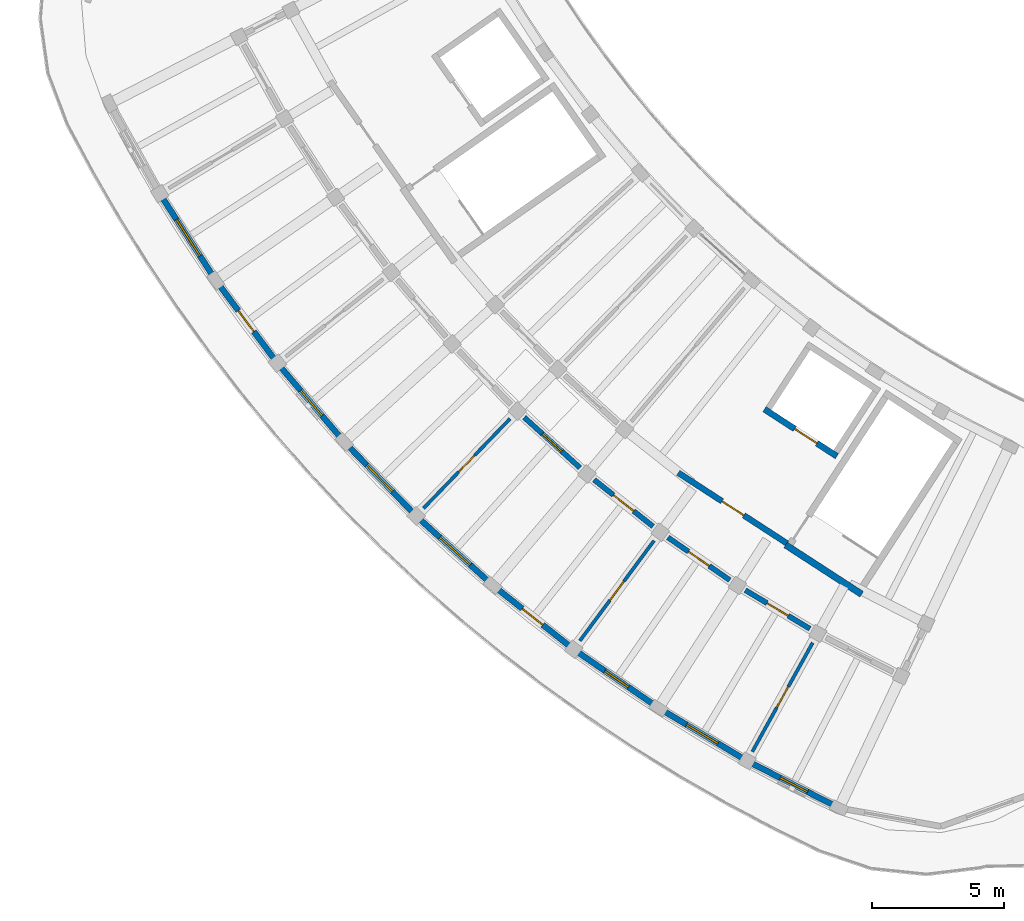
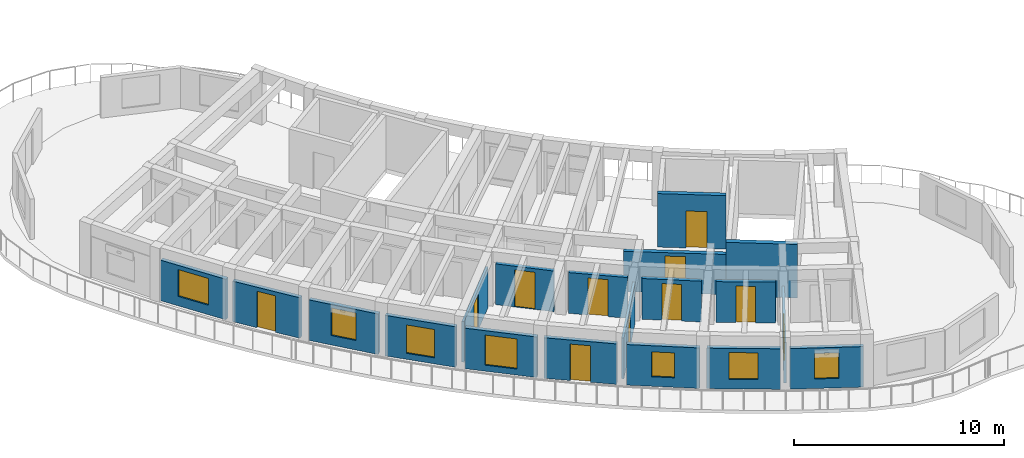
# One storey, part 16 of 41: 19 walls, 11 doors, 7 windows, 18 openings.
"""IFC4 building model written with IfcOpenShell, lengths in metres."""

from ifc_helpers import new_model, si_unit, direction, frame, frame_2d, origin, place, context, subcontext, project, spatial, rectangle, extrude, material, layer, layer_set, type_object, element, fill, save


model = new_model("IFC4")

# Units and contexts
model_context = context("Model", 3, precision=1e-05, world=origin(), true_north=direction((0.0, 1.0)))
body_context = subcontext(model_context, "Body", "Model", "MODEL_VIEW")
ifc_project = project(units=[si_unit("LENGTHUNIT", "METRE"), si_unit("AREAUNIT", "SQUARE_METRE"), si_unit("VOLUMEUNIT", "CUBIC_METRE"), si_unit("PLANEANGLEUNIT", "RADIAN"), si_unit("MASSUNIT", "GRAM", prefix="KILO")], contexts=[model_context])

# Site, building, storey
site_placement = place(None, origin())
site = spatial("IfcSite", under=ifc_project, at=site_placement, CompositionType="ELEMENT")
building_placement = place(site_placement, origin())
building = spatial("IfcBuilding", under=site, at=building_placement, Name="Tanwirah Colonnade Gardens", CompositionType="ELEMENT")
storey_placement = place(building_placement, frame((0.0, 0.0, 35.719970703125)))
storey = spatial("IfcBuildingStorey", under=building, at=storey_placement, Name="L10", CompositionType="ELEMENT", Elevation=35.719970703125)

# Wall, opening, window
ifc_material_1 = material(Name="Limestone architectural precast concrete C40/50", Category="masonry")
ifc_layer_1 = layer(ifc_material_1, 0.219970703125)
ifc_layer_set_1 = layer_set([ifc_layer_1], Name="Limestone architectural precast concrete C40/50")
wall_type_1 = type_object("IfcWallType", Name="EW-PC220", PredefinedType="SOLIDWALL", material=ifc_layer_set_1)
wall_1_placement = place(storey_placement, frame((14.077880859375, 33.640625, 0.0), z_axis=(0.0, 0.0, 1.0), x_axis=(0.542803784415, -0.839859542796, 0.0)))
wall_1 = element("IfcWall", 1, at=wall_1_placement, inside=storey, type_object=wall_type_1, Name="Block C L10 OUT Precast Facade Wall 4", PredefinedType="SOLIDWALL", context=body_context, shape_type="SweptSolid", body=[
    extrude(rectangle(XDim=3.5068359375, YDim=0.219970703125, at=frame_2d((1.75341796875, 0.0))), origin(), (0.0, 0.0, 1.0), 2.35498046875),
])
opening_1_placement = place(wall_1_placement, frame((0.933349609375, 0.0, 0.550048828125)))
opening_1 = element("IfcOpeningElement", 2, at=opening_1_placement, cuts=wall_1, Name="Opening WIN-U13", PredefinedType="OPENING", context=body_context, shape_type="SweptSolid", body=[
    extrude(rectangle(XDim=1.639892578125, YDim=1.56005859375, at=frame_2d((0.81982421875, 0.780029296875))), frame((0.0, 0.119873046875, 0.0), z_axis=(0.0, -1.0, 0.0), x_axis=(1.0, 0.0, 0.0)), (0.0, 0.0, 1.0), 0.239990234375),
])
ifc_material_2 = material(Name="Thermally broken bronze aluminium and solar low-E double glazing", Category="aluminium")
window_type_1 = type_object("IfcWindowType", Name="WIN-U13", PartitioningType="DOUBLE_PANEL_VERTICAL", PredefinedType="WINDOW", material=ifc_material_2)
window_1_placement = place(opening_1_placement, origin())
window_1 = element("IfcWindow", 3, at=window_1_placement, inside=storey, type_object=window_type_1, Name="Facade window C-L10-OUT-04", OverallHeight=1.56005859375, OverallWidth=1.639892578125, PartitioningType="SINGLE_PANEL", PredefinedType="WINDOW", context=body_context, shape_type="SweptSolid", body=[
    extrude(rectangle(XDim=1.639892578125, YDim=1.56005859375, at=frame_2d((0.81982421875, 0.780029296875))), frame((0.0, 0.030029296875, 0.0), z_axis=(0.0, -1.0, 0.0), x_axis=(1.0, 0.0, 0.0)), (0.0, 0.0, 1.0), 0.06005859375),
])
fill(opening_1, window_1)

# Wall, opening, door
wall_2_placement = place(storey_placement, frame((16.16943359375, 30.42431640625, 0.0), z_axis=(0.0, 0.0, 1.0), x_axis=(0.596563667114, -0.802565754988, 0.0)))
wall_2 = element("IfcWall", 4, at=wall_2_placement, inside=storey, type_object=wall_type_1, Name="Block C L10 OUT Precast Facade Wall 5", PredefinedType="SOLIDWALL", context=body_context, shape_type="SweptSolid", body=[
    extrude(rectangle(XDim=3.5068359375, YDim=0.219970703125, at=frame_2d((1.75341796875, 0.0))), origin(), (0.0, 0.0, 1.0), 2.35498046875),
])
opening_2_placement = place(wall_2_placement, frame((1.263427734375, 0.0, 0.0)))
opening_2 = element("IfcOpeningElement", 5, at=opening_2_placement, cuts=wall_2, Name="Opening L10-ED170", PredefinedType="OPENING", context=body_context, shape_type="SweptSolid", body=[
    extrude(rectangle(XDim=0.97998046875, YDim=2.1201171875, at=frame_2d((0.489990234375, 1.06005859375))), frame((0.0, 0.119873046875, 0.0), z_axis=(0.0, -1.0, 0.0), x_axis=(1.0, 0.0, 0.0)), (0.0, 0.0, 1.0), 0.239990234375),
])
ifc_material_3 = material(Name="Bronze aluminium glazed balcony door", Category="aluminium")
door_type_1 = type_object("IfcDoorType", Name="ED-BAL098", OperationType="NOTDEFINED", PredefinedType="DOOR", material=ifc_material_3)
door_1_placement = place(opening_2_placement, origin())
door_1 = element("IfcDoor", 6, at=door_1_placement, inside=storey, type_object=door_type_1, Name="Balcony glazed door L10-ED170", OperationType="SINGLE_SWING_RIGHT", OverallHeight=2.1201171875, OverallWidth=0.97998046875, PredefinedType="DOOR", context=body_context, shape_type="SweptSolid", body=[
    extrude(rectangle(XDim=0.97998046875, YDim=2.1201171875, at=frame_2d((0.489990234375, 1.06005859375))), frame((0.0, 0.02490234375, 0.0), z_axis=(0.0, -1.0, 0.0), x_axis=(1.0, 0.0, 0.0)), (0.0, 0.0, 1.0), 0.050048828125),
])
fill(opening_2, door_1)

# Wall, opening, window
wall_3_placement = place(storey_placement, frame((18.54150390625, 27.2578125, 0.0), z_axis=(0.0, 0.0, 1.0), x_axis=(0.647787845689, -0.761820784028, 0.0)))
wall_3 = element("IfcWall", 7, at=wall_3_placement, inside=storey, type_object=wall_type_1, Name="Block C L10 OUT Precast Facade Wall 6", PredefinedType="SOLIDWALL", context=body_context, shape_type="SweptSolid", body=[
    extrude(rectangle(XDim=3.5068359375, YDim=0.219970703125, at=frame_2d((1.75341796875, 0.0))), origin(), (0.0, 0.0, 1.0), 2.35498046875),
])
opening_3_placement = place(wall_3_placement, frame((1.12841796875, 0.0, 0.550048828125)))
opening_3 = element("IfcOpeningElement", 8, at=opening_3_placement, cuts=wall_3, Name="Opening WIN-T03", PredefinedType="OPENING", context=body_context, shape_type="SweptSolid", body=[
    extrude(rectangle(XDim=1.25, YDim=1.60009765625, at=frame_2d((0.625, 0.800048828125))), frame((0.0, 0.119873046875, 0.0), z_axis=(0.0, -1.0, 0.0), x_axis=(1.0, 0.0, 0.0)), (0.0, 0.0, 1.0), 0.239990234375),
])
window_type_2 = type_object("IfcWindowType", Name="WIN-T03", PartitioningType="SINGLE_PANEL", PredefinedType="WINDOW", material=ifc_material_2)
window_2_placement = place(opening_3_placement, origin())
window_2 = element("IfcWindow", 9, at=window_2_placement, inside=storey, type_object=window_type_2, Name="Facade window C-L10-OUT-06", OverallHeight=1.60009765625, OverallWidth=1.25, PartitioningType="SINGLE_PANEL", PredefinedType="WINDOW", context=body_context, shape_type="SweptSolid", body=[
    extrude(rectangle(XDim=1.25, YDim=1.60009765625, at=frame_2d((0.625, 0.800048828125))), frame((0.0, 0.030029296875, 0.0), z_axis=(0.0, -1.0, 0.0), x_axis=(1.0, 0.0, 0.0)), (0.0, 0.0, 1.0), 0.06005859375),
])
fill(opening_3, window_2)

wall_4_placement = place(storey_placement, frame((21.034912109375, 24.342041015625, 0.0), z_axis=(0.0, 0.0, 1.0), x_axis=(0.696232818878, -0.717816036263, 0.0)))
wall_4 = element("IfcWall", 10, at=wall_4_placement, inside=storey, type_object=wall_type_1, Name="Block C L10 OUT Precast Facade Wall 7", PredefinedType="SOLIDWALL", context=body_context, shape_type="SweptSolid", body=[
    extrude(rectangle(XDim=3.506591796875, YDim=0.219970703125, at=frame_2d((1.75341796875, 0.0))), origin(), (0.0, 0.0, 1.0), 2.35498046875),
])
opening_4_placement = place(wall_4_placement, frame((1.053466796875, 0.0, 0.35009765625)))
opening_4 = element("IfcOpeningElement", 11, at=opening_4_placement, cuts=wall_4, Name="Opening WIN-T06", PredefinedType="OPENING", context=body_context, shape_type="SweptSolid", body=[
    extrude(rectangle(XDim=1.39990234375, YDim=1.64990234375, at=frame_2d((0.699951171875, 0.824951171875))), frame((0.0, 0.119873046875, 0.0), z_axis=(0.0, -1.0, 0.0), x_axis=(1.0, 0.0, 0.0)), (0.0, 0.0, 1.0), 0.239990234375),
])
window_type_3 = type_object("IfcWindowType", Name="WIN-T06", PartitioningType="DOUBLE_PANEL_VERTICAL", PredefinedType="WINDOW", material=ifc_material_2)
window_3_placement = place(opening_4_placement, origin())
window_3 = element("IfcWindow", 12, at=window_3_placement, inside=storey, type_object=window_type_3, Name="Facade window C-L10-OUT-07", OverallHeight=1.64990234375, OverallWidth=1.39990234375, PartitioningType="SINGLE_PANEL", PredefinedType="WINDOW", context=body_context, shape_type="SweptSolid", body=[
    extrude(rectangle(XDim=1.39990234375, YDim=1.64990234375, at=frame_2d((0.699951171875, 0.824951171875))), frame((0.0, 0.030029296875, 0.0), z_axis=(0.0, -1.0, 0.0), x_axis=(1.0, 0.0, 0.0)), (0.0, 0.0, 1.0), 0.06005859375),
])
fill(opening_4, window_3)

wall_5_placement = place(storey_placement, frame((23.800048828125, 21.512451171875, 0.0), z_axis=(0.0, 0.0, 1.0), x_axis=(0.741654519649, -0.670782061093, 0.0)))
wall_5 = element("IfcWall", 13, at=wall_5_placement, inside=storey, type_object=wall_type_1, Name="Block C L10 OUT Precast Facade Wall 8", PredefinedType="SOLIDWALL", context=body_context, shape_type="SweptSolid", body=[
    extrude(rectangle(XDim=3.5068359375, YDim=0.219970703125, at=frame_2d((1.75341796875, 0.0))), origin(), (0.0, 0.0, 1.0), 2.35498046875),
])
opening_5_placement = place(wall_5_placement, frame((0.978515625, 0.0, 0.35009765625)))
opening_5 = element("IfcOpeningElement", 14, at=opening_5_placement, cuts=wall_5, Name="Opening WIN-T09", PredefinedType="OPENING", context=body_context, shape_type="SweptSolid", body=[
    extrude(rectangle(XDim=1.550048828125, YDim=1.75, at=frame_2d((0.77490234375, 0.875))), frame((0.0, 0.119873046875, 0.0), z_axis=(0.0, -1.0, 0.0), x_axis=(1.0, 0.0, 0.0)), (0.0, 0.0, 1.0), 0.239990234375),
])
window_type_4 = type_object("IfcWindowType", Name="WIN-T09", PartitioningType="DOUBLE_PANEL_VERTICAL", PredefinedType="WINDOW", material=ifc_material_2)
window_4_placement = place(opening_5_placement, origin())
window_4 = element("IfcWindow", 15, at=window_4_placement, inside=storey, type_object=window_type_4, Name="Facade window C-L10-OUT-08", OverallHeight=1.75, OverallWidth=1.550048828125, PartitioningType="SINGLE_PANEL", PredefinedType="WINDOW", context=body_context, shape_type="SweptSolid", body=[
    extrude(rectangle(XDim=1.550048828125, YDim=1.75, at=frame_2d((0.77490234375, 0.875))), frame((0.0, 0.030029296875, 0.0), z_axis=(0.0, -1.0, 0.0), x_axis=(1.0, 0.0, 0.0)), (0.0, 0.0, 1.0), 0.06005859375),
])
fill(opening_5, window_4)

# Wall, opening, door
wall_6_placement = place(storey_placement, frame((26.652587890625, 18.947021484375, 0.0), z_axis=(0.0, 0.0, 1.0), x_axis=(0.783976646649, -0.620790316861, 0.0)))
wall_6 = element("IfcWall", 16, at=wall_6_placement, inside=storey, type_object=wall_type_1, Name="Block C L10 OUT Precast Facade Wall 9", PredefinedType="SOLIDWALL", context=body_context, shape_type="SweptSolid", body=[
    extrude(rectangle(XDim=3.5068359375, YDim=0.219970703125, at=frame_2d((1.75341796875, 0.0))), origin(), (0.0, 0.0, 1.0), 2.35498046875),
])
opening_6_placement = place(wall_6_placement, frame((1.263427734375, 0.0, 0.0)))
opening_6 = element("IfcOpeningElement", 17, at=opening_6_placement, cuts=wall_6, Name="Opening L10-ED171", PredefinedType="OPENING", context=body_context, shape_type="SweptSolid", body=[
    extrude(rectangle(XDim=0.97998046875, YDim=2.1201171875, at=frame_2d((0.489990234375, 1.06005859375))), frame((0.0, 0.119873046875, 0.0), z_axis=(0.0, -1.0, 0.0), x_axis=(1.0, 0.0, 0.0)), (0.0, 0.0, 1.0), 0.239990234375),
])
door_2_placement = place(opening_6_placement, origin())
door_2 = element("IfcDoor", 18, at=door_2_placement, inside=storey, type_object=door_type_1, Name="Balcony glazed door L10-ED171", OperationType="SINGLE_SWING_RIGHT", OverallHeight=2.1201171875, OverallWidth=0.97998046875, PredefinedType="DOOR", context=body_context, shape_type="SweptSolid", body=[
    extrude(rectangle(XDim=0.97998046875, YDim=2.1201171875, at=frame_2d((0.489990234375, 1.06005859375))), frame((0.0, 0.02490234375, 0.0), z_axis=(0.0, -1.0, 0.0), x_axis=(1.0, 0.0, 0.0)), (0.0, 0.0, 1.0), 0.050048828125),
])
fill(opening_6, door_2)

# Wall, opening, window
wall_7_placement = place(storey_placement, frame((29.763427734375, 16.50244140625, 0.0), z_axis=(0.0, 0.0, 1.0), x_axis=(0.822878299875, -0.568217655125, 0.0)))
wall_7 = element("IfcWall", 19, at=wall_7_placement, inside=storey, type_object=wall_type_1, Name="Block C L10 OUT Precast Facade Wall 10", PredefinedType="SOLIDWALL", context=body_context, shape_type="SweptSolid", body=[
    extrude(rectangle(XDim=3.5068359375, YDim=0.219970703125, at=frame_2d((1.75341796875, 0.0))), origin(), (0.0, 0.0, 1.0), 2.35498046875),
])
opening_7_placement = place(wall_7_placement, frame((1.21337890625, 0.0, 0.550048828125)))
opening_7 = element("IfcOpeningElement", 20, at=opening_7_placement, cuts=wall_7, Name="Opening WIN-T15", PredefinedType="OPENING", context=body_context, shape_type="SweptSolid", body=[
    extrude(rectangle(XDim=1.080078125, YDim=1.449951171875, at=frame_2d((0.5400390625, 0.72509765625))), frame((0.0, 0.119873046875, 0.0), z_axis=(0.0, -1.0, 0.0), x_axis=(1.0, 0.0, 0.0)), (0.0, 0.0, 1.0), 0.239990234375),
])
window_type_5 = type_object("IfcWindowType", Name="WIN-T15", PartitioningType="SINGLE_PANEL", PredefinedType="WINDOW", material=ifc_material_2)
window_5_placement = place(opening_7_placement, origin())
window_5 = element("IfcWindow", 21, at=window_5_placement, inside=storey, type_object=window_type_5, Name="Facade window C-L10-OUT-10", OverallHeight=1.449951171875, OverallWidth=1.080078125, PartitioningType="SINGLE_PANEL", PredefinedType="WINDOW", context=body_context, shape_type="SweptSolid", body=[
    extrude(rectangle(XDim=1.080078125, YDim=1.449951171875, at=frame_2d((0.5400390625, 0.72509765625))), frame((0.0, 0.030029296875, 0.0), z_axis=(0.0, -1.0, 0.0), x_axis=(1.0, 0.0, 0.0)), (0.0, 0.0, 1.0), 0.06005859375),
])
fill(opening_7, window_5)

wall_8_placement = place(storey_placement, frame((32.926513671875, 14.33154296875, 0.0), z_axis=(0.0, 0.0, 1.0), x_axis=(0.858272027283, -0.513195018666, 0.0)))
wall_8 = element("IfcWall", 22, at=wall_8_placement, inside=storey, type_object=wall_type_1, Name="Block C L10 OUT Precast Facade Wall 11", PredefinedType="SOLIDWALL", context=body_context, shape_type="SweptSolid", body=[
    extrude(rectangle(XDim=3.507080078125, YDim=0.219970703125, at=frame_2d((1.75341796875, 0.0))), origin(), (0.0, 0.0, 1.0), 2.35498046875),
])
opening_8_placement = place(wall_8_placement, frame((1.0634765625, 0.0, 0.550048828125)))
opening_8 = element("IfcOpeningElement", 23, at=opening_8_placement, cuts=wall_8, Name="Opening WIN-T18", PredefinedType="OPENING", context=body_context, shape_type="SweptSolid", body=[
    extrude(rectangle(XDim=1.3798828125, YDim=1.56005859375, at=frame_2d((0.68994140625, 0.780029296875))), frame((0.0, 0.119873046875, 0.0), z_axis=(0.0, -1.0, 0.0), x_axis=(1.0, 0.0, 0.0)), (0.0, 0.0, 1.0), 0.239990234375),
])
window_type_6 = type_object("IfcWindowType", Name="WIN-T18", PartitioningType="DOUBLE_PANEL_VERTICAL", PredefinedType="WINDOW", material=ifc_material_2)
window_6_placement = place(opening_8_placement, origin())
window_6 = element("IfcWindow", 24, at=window_6_placement, inside=storey, type_object=window_type_6, Name="Facade window C-L10-OUT-11", OverallHeight=1.56005859375, OverallWidth=1.3798828125, PartitioningType="SINGLE_PANEL", PredefinedType="WINDOW", context=body_context, shape_type="SweptSolid", body=[
    extrude(rectangle(XDim=1.3798828125, YDim=1.56005859375, at=frame_2d((0.68994140625, 0.780029296875))), frame((0.0, 0.030029296875, 0.0), z_axis=(0.0, -1.0, 0.0), x_axis=(1.0, 0.0, 0.0)), (0.0, 0.0, 1.0), 0.06005859375),
])
fill(opening_8, window_6)

wall_9_placement = place(storey_placement, frame((36.329833984375, 12.313720703125, 0.0), z_axis=(0.0, 0.0, 1.0), x_axis=(0.890012358945, -0.455936400088, 0.0)))
wall_9 = element("IfcWall", 25, at=wall_9_placement, inside=storey, type_object=wall_type_1, Name="Block C L10 OUT Precast Facade Wall 12", PredefinedType="SOLIDWALL", context=body_context, shape_type="SweptSolid", body=[
    extrude(rectangle(XDim=3.5068359375, YDim=0.219970703125, at=frame_2d((1.75341796875, 0.0))), origin(), (0.0, 0.0, 1.0), 2.35498046875),
])
opening_9_placement = place(wall_9_placement, frame((1.17333984375, 0.0, 0.550048828125)))
opening_9 = element("IfcOpeningElement", 26, at=opening_9_placement, cuts=wall_9, Name="Opening WIN-U01", PredefinedType="OPENING", context=body_context, shape_type="SweptSolid", body=[
    extrude(rectangle(XDim=1.159912109375, YDim=1.485107421875, at=frame_2d((0.580078125, 0.74267578125))), frame((0.0, 0.119873046875, 0.0), z_axis=(0.0, -1.0, 0.0), x_axis=(1.0, 0.0, 0.0)), (0.0, 0.0, 1.0), 0.239990234375),
])
window_type_7 = type_object("IfcWindowType", Name="WIN-U01", PartitioningType="DOUBLE_PANEL_VERTICAL", PredefinedType="WINDOW", material=ifc_material_2)
window_7_placement = place(opening_9_placement, origin())
window_7 = element("IfcWindow", 27, at=window_7_placement, inside=storey, type_object=window_type_7, Name="Facade window C-L10-OUT-12", OverallHeight=1.485107421875, OverallWidth=1.159912109375, PartitioningType="SINGLE_PANEL", PredefinedType="WINDOW", context=body_context, shape_type="SweptSolid", body=[
    extrude(rectangle(XDim=1.159912109375, YDim=1.485107421875, at=frame_2d((0.580078125, 0.74267578125))), frame((0.0, 0.030029296875, 0.0), z_axis=(0.0, -1.0, 0.0), x_axis=(1.0, 0.0, 0.0)), (0.0, 0.0, 1.0), 0.06005859375),
])
fill(opening_9, window_7)

# Wall, opening, door
ifc_material_4 = material(Name="Precast concrete C40/50", Category="concrete")
ifc_layer_2 = layer(ifc_material_4, 0.195068359375)
ifc_layer_set_2 = layer_set([ifc_layer_2], Name="Precast concrete C40/50")
wall_type_2 = type_object("IfcWallType", Name="IW-CORR195", PredefinedType="PARTITIONING", material=ifc_layer_set_2)
wall_10_placement = place(storey_placement, frame((27.71337890625, 25.385009765625, 0.0), z_axis=(0.0, 0.0, 1.0), x_axis=(0.741631592147, -0.670807410163, 0.0)))
wall_10 = element("IfcWall", 28, at=wall_10_placement, inside=storey, type_object=wall_type_2, Name="Block C L10 OUT Corridor Wall 8", PredefinedType="PARTITIONING", context=body_context, shape_type="SweptSolid", body=[
    extrude(rectangle(XDim=2.8369140625, YDim=0.195068359375, at=frame_2d((1.41845703125, 0.0))), origin(), (0.0, 0.0, 1.0), 2.3701171875),
])
opening_10_placement = place(wall_10_placement, frame((0.923583984375, 0.0, 0.0)))
opening_10 = element("IfcOpeningElement", 29, at=opening_10_placement, cuts=wall_10, Name="Opening L10-AD1639", PredefinedType="OPENING", context=body_context, shape_type="SweptSolid", body=[
    extrude(rectangle(XDim=0.989990234375, YDim=2.159912109375, at=frame_2d((0.4951171875, 1.080078125))), frame((0.0, 0.107421875, 0.0), z_axis=(0.0, -1.0, 0.0), x_axis=(1.0, 0.0, 0.0)), (0.0, 0.0, 1.0), 0.215087890625),
])
ifc_material_5 = material(Name="Solid oak fire-resisting apartment entrance door")
door_type_2 = type_object("IfcDoorType", Name="ID-FLT099", OperationType="NOTDEFINED", PredefinedType="DOOR", material=ifc_material_5)
door_3_placement = place(opening_10_placement, origin())
door_3 = element("IfcDoor", 30, at=door_3_placement, inside=storey, type_object=door_type_2, Name="Apartment corridor door L10-AD1639", OperationType="SINGLE_SWING_LEFT", OverallHeight=2.159912109375, OverallWidth=0.989990234375, PredefinedType="DOOR", context=body_context, shape_type="SweptSolid", body=[
    extrude(rectangle(XDim=0.989990234375, YDim=2.159912109375, at=frame_2d((0.4951171875, 1.080078125))), frame((0.0, 0.02490234375, 0.0), z_axis=(0.0, -1.0, 0.0), x_axis=(1.0, 0.0, 0.0)), (0.0, 0.0, 1.0), 0.050048828125),
])
fill(opening_10, door_3)

wall_11_placement = place(storey_placement, frame((30.351318359375, 23.030029296875, 0.0), z_axis=(0.0, 0.0, 1.0), x_axis=(0.783965548427, -0.620804332201, 0.0)))
wall_11 = element("IfcWall", 31, at=wall_11_placement, inside=storey, type_object=wall_type_2, Name="Block C L10 OUT Corridor Wall 9", PredefinedType="PARTITIONING", context=body_context, shape_type="SweptSolid", body=[
    extrude(rectangle(XDim=2.8369140625, YDim=0.195068359375, at=frame_2d((1.41845703125, 0.0))), origin(), (0.0, 0.0, 1.0), 2.3701171875),
])
opening_11_placement = place(wall_11_placement, frame((0.93359375, 0.0, 0.0)))
opening_11 = element("IfcOpeningElement", 32, at=opening_11_placement, cuts=wall_11, Name="Opening L10-AD1642", PredefinedType="OPENING", context=body_context, shape_type="SweptSolid", body=[
    extrude(rectangle(XDim=0.969970703125, YDim=2.14990234375, at=frame_2d((0.48486328125, 1.074951171875))), frame((0.0, 0.107421875, 0.0), z_axis=(0.0, -1.0, 0.0), x_axis=(1.0, 0.0, 0.0)), (0.0, 0.0, 1.0), 0.215087890625),
])
door_type_3 = type_object("IfcDoorType", Name="ID-FLT097", OperationType="NOTDEFINED", PredefinedType="DOOR", material=ifc_material_5)
door_4_placement = place(opening_11_placement, origin())
door_4 = element("IfcDoor", 33, at=door_4_placement, inside=storey, type_object=door_type_3, Name="Apartment corridor door L10-AD1642", OperationType="SINGLE_SWING_RIGHT", OverallHeight=2.14990234375, OverallWidth=0.969970703125, PredefinedType="DOOR", context=body_context, shape_type="SweptSolid", body=[
    extrude(rectangle(XDim=0.969970703125, YDim=2.14990234375, at=frame_2d((0.48486328125, 1.074951171875))), frame((0.0, 0.02490234375, 0.0), z_axis=(0.0, -1.0, 0.0), x_axis=(1.0, 0.0, 0.0)), (0.0, 0.0, 1.0), 0.050048828125),
])
fill(opening_11, door_4)

wall_12_placement = place(storey_placement, frame((33.137939453125, 20.852783203125, 0.0), z_axis=(0.0, 0.0, 1.0), x_axis=(0.822870075235, -0.568229565653, 0.0)))
wall_12 = element("IfcWall", 34, at=wall_12_placement, inside=storey, type_object=wall_type_2, Name="Block C L10 OUT Corridor Wall 10", PredefinedType="PARTITIONING", context=body_context, shape_type="SweptSolid", body=[
    extrude(rectangle(XDim=2.8369140625, YDim=0.195068359375, at=frame_2d((1.41845703125, 0.0))), origin(), (0.0, 0.0, 1.0), 2.3701171875),
])
opening_12_placement = place(wall_12_placement, frame((0.943603515625, 0.0, 0.0)))
opening_12 = element("IfcOpeningElement", 35, at=opening_12_placement, cuts=wall_12, Name="Opening L10-AD1644", PredefinedType="OPENING", context=body_context, shape_type="SweptSolid", body=[
    extrude(rectangle(XDim=0.949951171875, YDim=2.1298828125, at=frame_2d((0.47509765625, 1.06494140625))), frame((0.0, 0.107421875, 0.0), z_axis=(0.0, -1.0, 0.0), x_axis=(1.0, 0.0, 0.0)), (0.0, 0.0, 1.0), 0.215087890625),
])
door_type_4 = type_object("IfcDoorType", Name="ID-FLT095", OperationType="NOTDEFINED", PredefinedType="DOOR", material=ifc_material_5)
door_5_placement = place(opening_12_placement, origin())
door_5 = element("IfcDoor", 36, at=door_5_placement, inside=storey, type_object=door_type_4, Name="Apartment corridor door L10-AD1644", OperationType="SINGLE_SWING_LEFT", OverallHeight=2.1298828125, OverallWidth=0.949951171875, PredefinedType="DOOR", context=body_context, shape_type="SweptSolid", body=[
    extrude(rectangle(XDim=0.949951171875, YDim=2.1298828125, at=frame_2d((0.47509765625, 1.06494140625))), frame((0.0, 0.02490234375, 0.0), z_axis=(0.0, -1.0, 0.0), x_axis=(1.0, 0.0, 0.0)), (0.0, 0.0, 1.0), 0.050048828125),
])
fill(opening_12, door_5)

wall_13_placement = place(storey_placement, frame((36.060791015625, 18.8623046875, 0.0), z_axis=(0.0, 0.0, 1.0), x_axis=(0.858281647443, -0.51317892948, 0.0)))
wall_13 = element("IfcWall", 37, at=wall_13_placement, inside=storey, type_object=wall_type_2, Name="Block C L10 OUT Corridor Wall 11", PredefinedType="PARTITIONING", context=body_context, shape_type="SweptSolid", body=[
    extrude(rectangle(XDim=2.8369140625, YDim=0.195068359375, at=frame_2d((1.41845703125, 0.0))), origin(), (0.0, 0.0, 1.0), 2.3701171875),
])
opening_13_placement = place(wall_13_placement, frame((0.95361328125, 0.0, 0.0)))
opening_13 = element("IfcOpeningElement", 38, at=opening_13_placement, cuts=wall_13, Name="Opening L10-AD1645", PredefinedType="OPENING", context=body_context, shape_type="SweptSolid", body=[
    extrude(rectangle(XDim=0.929931640625, YDim=2.1201171875, at=frame_2d((0.46484375, 1.06005859375))), frame((0.0, 0.107421875, 0.0), z_axis=(0.0, -1.0, 0.0), x_axis=(1.0, 0.0, 0.0)), (0.0, 0.0, 1.0), 0.215087890625),
])
door_type_5 = type_object("IfcDoorType", Name="ID-FLT093", OperationType="NOTDEFINED", PredefinedType="DOOR", material=ifc_material_5)
door_6_placement = place(opening_13_placement, origin())
door_6 = element("IfcDoor", 39, at=door_6_placement, inside=storey, type_object=door_type_5, Name="Apartment corridor door L10-AD1645", OperationType="SINGLE_SWING_RIGHT", OverallHeight=2.1201171875, OverallWidth=0.929931640625, PredefinedType="DOOR", context=body_context, shape_type="SweptSolid", body=[
    extrude(rectangle(XDim=0.929931640625, YDim=2.1201171875, at=frame_2d((0.46484375, 1.06005859375))), frame((0.0, 0.02490234375, 0.0), z_axis=(0.0, -1.0, 0.0), x_axis=(1.0, 0.0, 0.0)), (0.0, 0.0, 1.0), 0.050048828125),
])
fill(opening_13, door_6)

ifc_material_6 = material(Name="Autoclaved aerated masonry blockwork", Category="masonry")
ifc_layer_3 = layer(ifc_material_6, 0.219970703125)
ifc_layer_set_3 = layer_set([ifc_layer_3], Name="Autoclaved aerated masonry blockwork")
wall_type_3 = type_object("IfcWallType", Name="IW-FFL220", PredefinedType="PARTITIONING", material=ifc_layer_set_3)
wall_14_placement = place(storey_placement, frame((37.638916015625, 20.623291015625, 0.0), z_axis=(0.0, 0.0, 1.0), x_axis=(-0.838681446513, 0.544622283124, 0.0)))
wall_14 = element("IfcWall", 40, at=wall_14_placement, inside=storey, type_object=wall_type_3, Name="CORE-C2 L10 Enclosed Lobby Fire Wall", PredefinedType="PARTITIONING", context=body_context, shape_type="SweptSolid", body=[
    extrude(rectangle(XDim=4.900146484375, YDim=0.219970703125, at=frame_2d((2.4501953125, 0.0))), origin(), (0.0, 0.0, 1.0), 2.340087890625),
])
opening_14_placement = place(wall_14_placement, frame((1.949951171875, 0.0, 0.0)))
opening_14 = element("IfcOpeningElement", 41, at=opening_14_placement, cuts=wall_14, Name="Opening L10-LD168", PredefinedType="OPENING", context=body_context, shape_type="SweptSolid", body=[
    extrude(rectangle(XDim=0.97998046875, YDim=2.139892578125, at=frame_2d((0.489990234375, 1.06982421875))), frame((0.0, 0.119873046875, 0.0), z_axis=(0.0, -1.0, 0.0), x_axis=(1.0, 0.0, 0.0)), (0.0, 0.0, 1.0), 0.239990234375),
])
ifc_material_7 = material(Name="Acoustic fire-resisting lobby door")
door_type_6 = type_object("IfcDoorType", Name="ID-FFL098", OperationType="NOTDEFINED", PredefinedType="DOOR", material=ifc_material_7)
door_7_placement = place(opening_14_placement, origin())
door_7 = element("IfcDoor", 42, at=door_7_placement, inside=storey, type_object=door_type_6, Name="CORE-C2 L10 Lobby Fire Door L10-LD168", OperationType="SINGLE_SWING_LEFT", OverallHeight=2.139892578125, OverallWidth=0.97998046875, PredefinedType="DOOR", context=body_context, shape_type="SweptSolid", body=[
    extrude(rectangle(XDim=0.97998046875, YDim=2.139892578125, at=frame_2d((0.489990234375, 1.06982421875))), frame((0.0, 0.02490234375, 0.0), z_axis=(0.0, -1.0, 0.0), x_axis=(1.0, 0.0, 0.0)), (0.0, 0.0, 1.0), 0.050048828125),
])
fill(opening_14, door_7)

ifc_material_8 = material(Name="Moisture-resistant gypsum stud partition")
ifc_layer_4 = layer(ifc_material_8, 0.125)
ifc_layer_set_4 = layer_set([ifc_layer_4], Name="Moisture-resistant gypsum stud partition")
wall_type_4 = type_object("IfcWallType", Name="IW-INT125", PredefinedType="PARTITIONING", material=ifc_layer_set_4)
wall_15_placement = place(storey_placement, frame((27.17578125, 25.33203125, 0.0), z_axis=(0.0, 0.0, 1.0), x_axis=(-0.69466218314, -0.719336118456, 0.0)))
wall_15 = element("IfcWall", 43, at=wall_15_placement, inside=storey, type_object=wall_type_4, Name="Block C L10 Radial Partition 7", PredefinedType="PARTITIONING", context=body_context, shape_type="SweptSolid", body=[
    extrude(rectangle(XDim=4.699951171875, YDim=0.125, at=frame_2d((2.35009765625, 0.0))), origin(), (0.0, 0.0, 1.0), 2.3701171875),
])
opening_15_placement = place(wall_15_placement, frame((1.9150390625, 0.0, 0.0)))
opening_15 = element("IfcOpeningElement", 44, at=opening_15_placement, cuts=wall_15, Name="Opening L10-RD1637", PredefinedType="OPENING", context=body_context, shape_type="SweptSolid", body=[
    extrude(rectangle(XDim=0.8701171875, YDim=2.080078125, at=frame_2d((0.43505859375, 1.0400390625))), frame((0.0, 0.072509765625, 0.0), z_axis=(0.0, -1.0, 0.0), x_axis=(1.0, 0.0, 0.0)), (0.0, 0.0, 1.0), 0.14501953125),
])
ifc_material_9 = material(Name="Painted hardwood study door", Category="wood")
door_type_7 = type_object("IfcDoorType", Name="ID-RM087", OperationType="NOTDEFINED", PredefinedType="DOOR", material=ifc_material_9)
door_8_placement = place(opening_15_placement, origin())
door_8 = element("IfcDoor", 45, at=door_8_placement, inside=storey, type_object=door_type_7, Name="Internal apartment door L10-RD1637", OperationType="SINGLE_SWING_RIGHT", OverallHeight=2.080078125, OverallWidth=0.8701171875, PredefinedType="DOOR", context=body_context, shape_type="SweptSolid", body=[
    extrude(rectangle(XDim=0.8701171875, YDim=2.080078125, at=frame_2d((0.43505859375, 1.0400390625))), frame((0.0, 0.02490234375, 0.0), z_axis=(0.0, -1.0, 0.0), x_axis=(1.0, 0.0, 0.0)), (0.0, 0.0, 1.0), 0.050048828125),
])
fill(opening_15, door_8)

wall_16_placement = place(storey_placement, frame((32.61181640625, 20.72998046875, 0.0), z_axis=(0.0, 0.0, 1.0), x_axis=(-0.59482622273, -0.803854318116, 0.0)))
wall_16 = element("IfcWall", 46, at=wall_16_placement, inside=storey, type_object=wall_type_4, Name="Block C L10 Radial Partition 9", PredefinedType="PARTITIONING", context=body_context, shape_type="SweptSolid", body=[
    extrude(rectangle(XDim=4.699951171875, YDim=0.125, at=frame_2d((2.35009765625, 0.0))), origin(), (0.0, 0.0, 1.0), 2.3701171875),
])
opening_16_placement = place(wall_16_placement, frame((1.905029296875, 0.0, 0.0)))
opening_16 = element("IfcOpeningElement", 47, at=opening_16_placement, cuts=wall_16, Name="Opening L10-RD1643", PredefinedType="OPENING", context=body_context, shape_type="SweptSolid", body=[
    extrude(rectangle(XDim=0.889892578125, YDim=2.10009765625, at=frame_2d((0.44482421875, 1.050048828125))), frame((0.0, 0.072509765625, 0.0), z_axis=(0.0, -1.0, 0.0), x_axis=(1.0, 0.0, 0.0)), (0.0, 0.0, 1.0), 0.14501953125),
])
ifc_material_10 = material(Name="Painted hardwood bedroom door", Category="wood")
door_type_8 = type_object("IfcDoorType", Name="ID-RM089", OperationType="NOTDEFINED", PredefinedType="DOOR", material=ifc_material_10)
door_9_placement = place(opening_16_placement, origin())
door_9 = element("IfcDoor", 48, at=door_9_placement, inside=storey, type_object=door_type_8, Name="Internal apartment door L10-RD1643", OperationType="SINGLE_SWING_RIGHT", OverallHeight=2.10009765625, OverallWidth=0.889892578125, PredefinedType="DOOR", context=body_context, shape_type="SweptSolid", body=[
    extrude(rectangle(XDim=0.889892578125, YDim=2.10009765625, at=frame_2d((0.44482421875, 1.050048828125))), frame((0.0, 0.02490234375, 0.0), z_axis=(0.0, -1.0, 0.0), x_axis=(1.0, 0.0, 0.0)), (0.0, 0.0, 1.0), 0.050048828125),
])
fill(opening_16, door_9)

wall_17_placement = place(storey_placement, frame((38.60205078125, 16.876953125, 0.0), z_axis=(0.0, 0.0, 1.0), x_axis=(-0.484813534336, -0.874617537513, 0.0)))
wall_17 = element("IfcWall", 49, at=wall_17_placement, inside=storey, type_object=wall_type_4, Name="Block C L10 Radial Partition 11", PredefinedType="PARTITIONING", context=body_context, shape_type="SweptSolid", body=[
    extrude(rectangle(XDim=4.699951171875, YDim=0.125, at=frame_2d((2.35009765625, 0.0))), origin(), (0.0, 0.0, 1.0), 2.3701171875),
])
opening_17_placement = place(wall_17_placement, frame((1.89501953125, 0.0, 0.0)))
opening_17 = element("IfcOpeningElement", 50, at=opening_17_placement, cuts=wall_17, Name="Opening L10-RD1646", PredefinedType="OPENING", context=body_context, shape_type="SweptSolid", body=[
    extrude(rectangle(XDim=0.909912109375, YDim=2.10009765625, at=frame_2d((0.455078125, 1.050048828125))), frame((0.0, 0.072509765625, 0.0), z_axis=(0.0, -1.0, 0.0), x_axis=(1.0, 0.0, 0.0)), (0.0, 0.0, 1.0), 0.14501953125),
])
ifc_material_11 = material(Name="Painted hardwood internal room door", Category="wood")
door_type_9 = type_object("IfcDoorType", Name="ID-RM091", OperationType="NOTDEFINED", PredefinedType="DOOR", material=ifc_material_11)
door_10_placement = place(opening_17_placement, origin())
door_10 = element("IfcDoor", 51, at=door_10_placement, inside=storey, type_object=door_type_9, Name="Internal apartment door L10-RD1646", OperationType="SINGLE_SWING_RIGHT", OverallHeight=2.10009765625, OverallWidth=0.909912109375, PredefinedType="DOOR", context=body_context, shape_type="SweptSolid", body=[
    extrude(rectangle(XDim=0.909912109375, YDim=2.10009765625, at=frame_2d((0.455078125, 1.050048828125))), frame((0.0, 0.02490234375, 0.0), z_axis=(0.0, -1.0, 0.0), x_axis=(1.0, 0.0, 0.0)), (0.0, 0.0, 1.0), 0.050048828125),
])
fill(opening_17, door_10)

# Wall
ifc_material_12 = material(Name="Concrete C45/55", Category="concrete")
ifc_layer_5 = layer(ifc_material_12, 0.25)
ifc_layer_set_5 = layer_set([ifc_layer_5], Name="Concrete C45/55")
wall_type_5 = type_object("IfcWallType", Name="SW-CORE250", PredefinedType="SHEAR", material=ifc_layer_set_5)
wall_18_placement = place(storey_placement, frame((40.449462890625, 18.708740234375, 0.0), z_axis=(0.0, 0.0, 1.0), x_axis=(-0.838678407117, 0.544626963559, 0.0)))
element("IfcWall", 52, at=wall_18_placement, inside=storey, type_object=wall_type_5, Name="CORE-C2 L10 Stair Shaft Shear Wall NEAR", PredefinedType="SHEAR", context=body_context, shape_type="SweptSolid", body=[
    extrude(rectangle(XDim=3.419921875, YDim=0.25, at=frame_2d((1.7099609375, 0.0))), origin(), (0.0, 0.0, 1.0), 3.110107421875),
])

# Wall, opening, door
ifc_layer_6 = layer(ifc_material_12, 0.22998046875)
ifc_layer_set_6 = layer_set([ifc_layer_6], Name="Concrete C45/55")
wall_type_6 = type_object("IfcWallType", Name="SW-LIFT230", PredefinedType="SHEAR", material=ifc_layer_set_6)
wall_19_placement = place(storey_placement, frame((39.515869140625, 23.91748046875, 0.0), z_axis=(0.0, 0.0, 1.0), x_axis=(-0.838660840752, 0.544654013286, 0.0)))
wall_19 = element("IfcWall", 53, at=wall_19_placement, inside=storey, type_object=wall_type_6, Name="CORE-C2 L10 Lift Shaft Wall FRONT", PredefinedType="SHEAR", context=body_context, shape_type="SweptSolid", body=[
    extrude(rectangle(XDim=3.260009765625, YDim=0.22998046875, at=frame_2d((1.6298828125, 0.0))), origin(), (0.0, 0.0, 1.0), 3.110107421875),
])
opening_18_placement = place(wall_19_placement, frame((0.89990234375, 0.0, 0.0)))
opening_18 = element("IfcOpeningElement", 54, at=opening_18_placement, cuts=wall_19, Name="Opening L10-LD-PL-C2", PredefinedType="OPENING", context=body_context, shape_type="SweptSolid", body=[
    extrude(rectangle(XDim=1.0, YDim=2.14990234375, at=frame_2d((0.5, 1.074951171875))), frame((0.0, 0.125, 0.0), z_axis=(0.0, -1.0, 0.0), x_axis=(1.0, 0.0, 0.0)), (0.0, 0.0, 1.0), 0.25),
])
ifc_material_13 = material(Name="Bronze stainless steel sliding lift landing door", Category="steel")
door_type_10 = type_object("IfcDoorType", Name="LD-PS10", OperationType="DOUBLE_DOOR_SLIDING", PredefinedType="DOOR", material=ifc_material_13)
door_11_placement = place(opening_18_placement, origin())
door_11 = element("IfcDoor", 55, at=door_11_placement, inside=storey, type_object=door_type_10, Name="Lift PL-C2 L10 Sliding Landing Door", OperationType="DOUBLE_DOOR_SLIDING", OverallHeight=2.14990234375, OverallWidth=1.0, PredefinedType="DOOR", context=body_context, shape_type="SweptSolid", body=[
    extrude(rectangle(XDim=1.0, YDim=2.14990234375, at=frame_2d((0.5, 1.074951171875))), frame((0.0, 0.02490234375, 0.0), z_axis=(0.0, -1.0, 0.0), x_axis=(1.0, 0.0, 0.0)), (0.0, 0.0, 1.0), 0.050048828125),
])
fill(opening_18, door_11)

save(model, "model.ifc")
